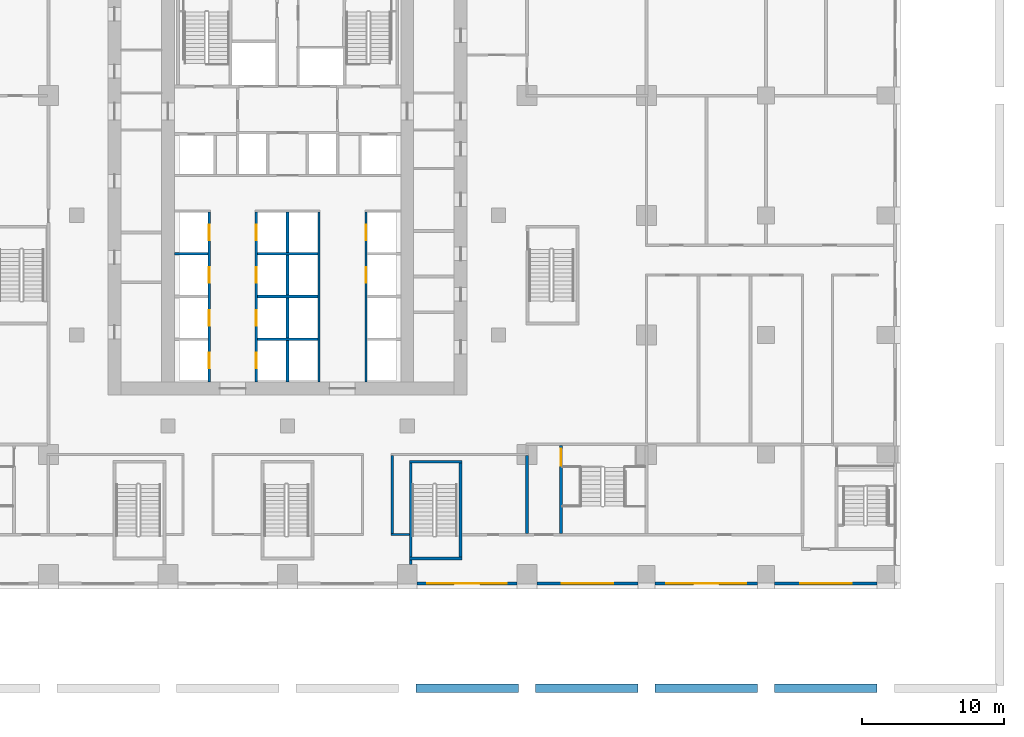
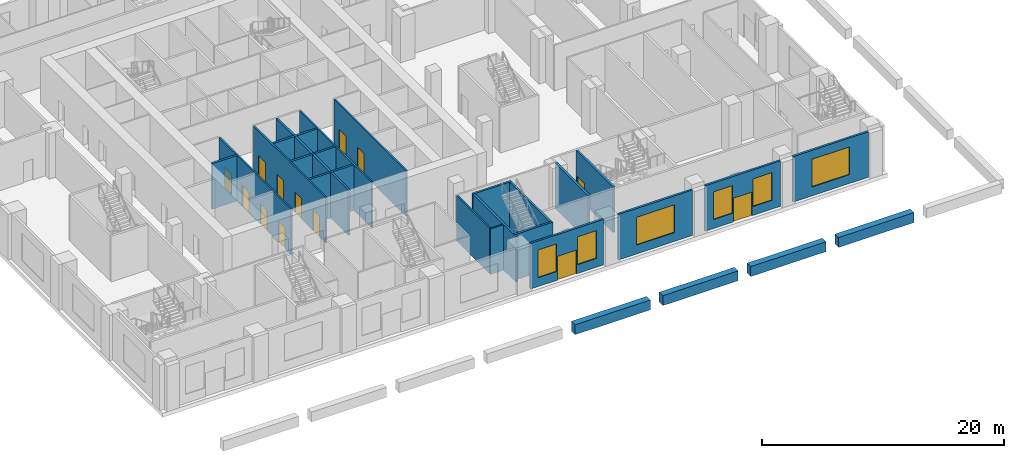
# One storey, part 4 of 21: 25 walls, 13 doors, 6 windows, 19 openings.
"""IFC4 building model written with IfcOpenShell, lengths in metres."""

from ifc_helpers import new_model, si_unit, direction, frame, frame_2d, origin, place, context, subcontext, project, spatial, rectangle, extrude, material, layer, layer_set, type_object, element, fill, save


model = new_model("IFC4")

# Units and contexts
model_context = context("Model", 3, precision=1e-05, world=origin(), true_north=direction((0.0, 1.0)))
body_context = subcontext(model_context, "Body", "Model", "MODEL_VIEW")
ifc_project = project(units=[si_unit("LENGTHUNIT", "METRE"), si_unit("AREAUNIT", "SQUARE_METRE"), si_unit("VOLUMEUNIT", "CUBIC_METRE"), si_unit("PLANEANGLEUNIT", "RADIAN"), si_unit("MASSUNIT", "GRAM", prefix="KILO")], contexts=[model_context])

# Site, building, storey
site_placement = place(None, origin())
site = spatial("IfcSite", under=ifc_project, at=site_placement, CompositionType="ELEMENT")
building_placement = place(site_placement, origin())
building = spatial("IfcBuilding", under=site, at=building_placement, Name="Vermilion Ogive Tower", CompositionType="ELEMENT")
storey_placement = place(building_placement, frame((0.0, 0.0, 25.0)))
storey = spatial("IfcBuildingStorey", under=building, at=storey_placement, Name="L04", CompositionType="ELEMENT", Elevation=25.0)

# Walls
ifc_material_1 = material(Name="Gypsum board partition on steel studs", Category="steel")
ifc_layer_1 = layer(ifc_material_1, 0.14990234375)
ifc_layer_set_1 = layer_set([ifc_layer_1], Name="Partition 150 corridor")
wall_type_1 = type_object("IfcWallType", Name="Partition 150 corridor", PredefinedType="PARTITIONING", material=ifc_layer_set_1)
wall_1_placement = place(storey_placement, frame((7.27490234375, -18.199951171875, 0.0), z_axis=(0.0, 0.0, 1.0), x_axis=(1.0, 0.0, 0.0)))
element("IfcWall", 1, at=wall_1_placement, inside=storey, type_object=wall_type_1, Name="L04-FS-W-W006", PredefinedType="PARTITIONING", context=body_context, shape_type="SweptSolid", body=[
    extrude(rectangle(XDim=1.275146484375, YDim=0.14990234375, at=frame_2d((0.6376953125, 0.0))), origin(), (0.0, 0.0, 1.0), 4.60009765625),
])
wall_2_placement = place(storey_placement, frame((7.35009765625, -18.125, 0.0), z_axis=(0.0, 0.0, 1.0), x_axis=(0.0, 1.0, 0.0)))
element("IfcWall", 2, at=wall_2_placement, inside=storey, type_object=wall_type_1, Name="L04-FS-W-W047", PredefinedType="PARTITIONING", context=body_context, shape_type="SweptSolid", body=[
    extrude(rectangle(XDim=5.449951171875, YDim=0.14990234375, at=frame_2d((2.72509765625, 0.0))), origin(), (0.0, 0.0, 1.0), 4.60009765625),
])

# Wall, openings, doors
wall_3_placement = place(storey_placement, frame((-5.5, -7.4990234375, 0.0), z_axis=(0.0, 0.0, 1.0), x_axis=(0.0, 1.0, 0.0)))
wall_3 = element("IfcWall", 3, at=wall_3_placement, inside=storey, type_object=wall_type_1, Name="L04-CK-W-W022", PredefinedType="PARTITIONING", context=body_context, shape_type="SweptSolid", body=[
    extrude(rectangle(XDim=11.924072265625, YDim=0.14990234375, at=frame_2d((5.9619140625, 0.0))), origin(), (0.0, 0.0, 1.0), 4.60009765625),
])
opening_1_placement = place(wall_3_placement, frame((0.948974609375, 0.0, 0.0)))
opening_1 = element("IfcOpeningElement", 4, at=opening_1_placement, cuts=wall_3, Name="Opening DAB110", PredefinedType="OPENING", context=body_context, shape_type="SweptSolid", body=[
    extrude(rectangle(XDim=1.10009765625, YDim=2.10009765625, at=frame_2d((0.550048828125, 1.050048828125))), frame((0.0, 0.0849609375, 0.0), z_axis=(0.0, -1.0, 0.0), x_axis=(1.0, 0.0, 0.0)), (0.0, 0.0, 1.0), 0.169921875),
])
opening_2_placement = place(wall_3_placement, frame((3.948974609375, 0.0, 0.0)))
opening_2 = element("IfcOpeningElement", 5, at=opening_2_placement, cuts=wall_3, Name="Opening DAB115", PredefinedType="OPENING", context=body_context, shape_type="SweptSolid", body=[
    extrude(rectangle(XDim=1.10009765625, YDim=2.10009765625, at=frame_2d((0.550048828125, 1.050048828125))), frame((0.0, 0.0849609375, 0.0), z_axis=(0.0, -1.0, 0.0), x_axis=(1.0, 0.0, 0.0)), (0.0, 0.0, 1.0), 0.169921875),
])
opening_3_placement = place(wall_3_placement, frame((6.948974609375, 0.0, 0.0)))
opening_3 = element("IfcOpeningElement", 6, at=opening_3_placement, cuts=wall_3, Name="Opening DAB116", PredefinedType="OPENING", context=body_context, shape_type="SweptSolid", body=[
    extrude(rectangle(XDim=1.10009765625, YDim=2.10009765625, at=frame_2d((0.550048828125, 1.050048828125))), frame((0.0, 0.0849609375, 0.0), z_axis=(0.0, -1.0, 0.0), x_axis=(1.0, 0.0, 0.0)), (0.0, 0.0, 1.0), 0.169921875),
])
opening_4_placement = place(wall_3_placement, frame((9.948974609375, 0.0, 0.0)))
opening_4 = element("IfcOpeningElement", 7, at=opening_4_placement, cuts=wall_3, Name="Opening DAB117", PredefinedType="OPENING", context=body_context, shape_type="SweptSolid", body=[
    extrude(rectangle(XDim=1.10009765625, YDim=2.10009765625, at=frame_2d((0.550048828125, 1.050048828125))), frame((0.0, 0.0849609375, 0.0), z_axis=(0.0, -1.0, 0.0), x_axis=(1.0, 0.0, 0.0)), (0.0, 0.0, 1.0), 0.169921875),
])
ifc_material_2 = material(Name="Stainless steel", Category="steel")
door_type_1 = type_object("IfcDoorType", Name="Lift landing door 1100 x 2100", OperationType="SLIDING_TO_LEFT", PredefinedType="DOOR", material=ifc_material_2)
door_1_placement = place(opening_1_placement, origin())
door_1 = element("IfcDoor", 8, at=door_1_placement, inside=storey, type_object=door_type_1, Name="L04-CK-D-D001", OperationType="SLIDING_TO_RIGHT", OverallHeight=2.10009765625, OverallWidth=1.10009765625, PredefinedType="DOOR", context=body_context, shape_type="SweptSolid", body=[
    extrude(rectangle(XDim=1.10009765625, YDim=2.10009765625, at=frame_2d((0.550048828125, 1.050048828125))), frame((0.0, 0.02490234375, 0.0), z_axis=(0.0, -1.0, 0.0), x_axis=(1.0, 0.0, 0.0)), (0.0, 0.0, 1.0), 0.050048828125),
])
fill(opening_1, door_1)
door_2_placement = place(opening_2_placement, origin())
door_2 = element("IfcDoor", 9, at=door_2_placement, inside=storey, type_object=door_type_1, Name="L04-CK-D-D002", OperationType="SLIDING_TO_RIGHT", OverallHeight=2.10009765625, OverallWidth=1.10009765625, PredefinedType="DOOR", context=body_context, shape_type="SweptSolid", body=[
    extrude(rectangle(XDim=1.10009765625, YDim=2.10009765625, at=frame_2d((0.550048828125, 1.050048828125))), frame((0.0, 0.02490234375, 0.0), z_axis=(0.0, -1.0, 0.0), x_axis=(1.0, 0.0, 0.0)), (0.0, 0.0, 1.0), 0.050048828125),
])
fill(opening_2, door_2)
door_3_placement = place(opening_3_placement, origin())
door_3 = element("IfcDoor", 10, at=door_3_placement, inside=storey, type_object=door_type_1, Name="L04-CK-D-D003", OperationType="SLIDING_TO_RIGHT", OverallHeight=2.10009765625, OverallWidth=1.10009765625, PredefinedType="DOOR", context=body_context, shape_type="SweptSolid", body=[
    extrude(rectangle(XDim=1.10009765625, YDim=2.10009765625, at=frame_2d((0.550048828125, 1.050048828125))), frame((0.0, 0.02490234375, 0.0), z_axis=(0.0, -1.0, 0.0), x_axis=(1.0, 0.0, 0.0)), (0.0, 0.0, 1.0), 0.050048828125),
])
fill(opening_3, door_3)
door_4_placement = place(opening_4_placement, origin())
door_4 = element("IfcDoor", 11, at=door_4_placement, inside=storey, type_object=door_type_1, Name="L04-CK-D-D004", OperationType="SLIDING_TO_RIGHT", OverallHeight=2.10009765625, OverallWidth=1.10009765625, PredefinedType="DOOR", context=body_context, shape_type="SweptSolid", body=[
    extrude(rectangle(XDim=1.10009765625, YDim=2.10009765625, at=frame_2d((0.550048828125, 1.050048828125))), frame((0.0, 0.02490234375, 0.0), z_axis=(0.0, -1.0, 0.0), x_axis=(1.0, 0.0, 0.0)), (0.0, 0.0, 1.0), 0.050048828125),
])
fill(opening_4, door_4)

wall_4_placement = place(storey_placement, frame((-2.199951171875, -7.4990234375, 0.0), z_axis=(0.0, 0.0, 1.0), x_axis=(0.0, 1.0, 0.0)))
wall_4 = element("IfcWall", 12, at=wall_4_placement, inside=storey, type_object=wall_type_1, Name="L04-CK-W-W027", PredefinedType="PARTITIONING", context=body_context, shape_type="SweptSolid", body=[
    extrude(rectangle(XDim=11.924072265625, YDim=0.14990234375, at=frame_2d((5.9619140625, 0.0))), origin(), (0.0, 0.0, 1.0), 4.60009765625),
])
opening_5_placement = place(wall_4_placement, frame((0.948974609375, 0.0, 0.0)))
opening_5 = element("IfcOpeningElement", 13, at=opening_5_placement, cuts=wall_4, Name="Opening DAB118", PredefinedType="OPENING", context=body_context, shape_type="SweptSolid", body=[
    extrude(rectangle(XDim=1.10009765625, YDim=2.10009765625, at=frame_2d((0.550048828125, 1.050048828125))), frame((0.0, 0.0849609375, 0.0), z_axis=(0.0, -1.0, 0.0), x_axis=(1.0, 0.0, 0.0)), (0.0, 0.0, 1.0), 0.169921875),
])
opening_6_placement = place(wall_4_placement, frame((3.948974609375, 0.0, 0.0)))
opening_6 = element("IfcOpeningElement", 14, at=opening_6_placement, cuts=wall_4, Name="Opening DAB119", PredefinedType="OPENING", context=body_context, shape_type="SweptSolid", body=[
    extrude(rectangle(XDim=1.10009765625, YDim=2.10009765625, at=frame_2d((0.550048828125, 1.050048828125))), frame((0.0, 0.0849609375, 0.0), z_axis=(0.0, -1.0, 0.0), x_axis=(1.0, 0.0, 0.0)), (0.0, 0.0, 1.0), 0.169921875),
])
opening_7_placement = place(wall_4_placement, frame((6.948974609375, 0.0, 0.0)))
opening_7 = element("IfcOpeningElement", 15, at=opening_7_placement, cuts=wall_4, Name="Opening DAB120", PredefinedType="OPENING", context=body_context, shape_type="SweptSolid", body=[
    extrude(rectangle(XDim=1.10009765625, YDim=2.10009765625, at=frame_2d((0.550048828125, 1.050048828125))), frame((0.0, 0.0849609375, 0.0), z_axis=(0.0, -1.0, 0.0), x_axis=(1.0, 0.0, 0.0)), (0.0, 0.0, 1.0), 0.169921875),
])
opening_8_placement = place(wall_4_placement, frame((9.948974609375, 0.0, 0.0)))
opening_8 = element("IfcOpeningElement", 16, at=opening_8_placement, cuts=wall_4, Name="Opening DAB121", PredefinedType="OPENING", context=body_context, shape_type="SweptSolid", body=[
    extrude(rectangle(XDim=1.10009765625, YDim=2.10009765625, at=frame_2d((0.550048828125, 1.050048828125))), frame((0.0, 0.0849609375, 0.0), z_axis=(0.0, -1.0, 0.0), x_axis=(1.0, 0.0, 0.0)), (0.0, 0.0, 1.0), 0.169921875),
])
door_5_placement = place(opening_5_placement, origin())
door_5 = element("IfcDoor", 17, at=door_5_placement, inside=storey, type_object=door_type_1, Name="L04-CK-D-D005", OperationType="SLIDING_TO_RIGHT", OverallHeight=2.10009765625, OverallWidth=1.10009765625, PredefinedType="DOOR", context=body_context, shape_type="SweptSolid", body=[
    extrude(rectangle(XDim=1.10009765625, YDim=2.10009765625, at=frame_2d((0.550048828125, 1.050048828125))), frame((0.0, 0.02490234375, 0.0), z_axis=(0.0, -1.0, 0.0), x_axis=(1.0, 0.0, 0.0)), (0.0, 0.0, 1.0), 0.050048828125),
])
fill(opening_5, door_5)
door_6_placement = place(opening_6_placement, origin())
door_6 = element("IfcDoor", 18, at=door_6_placement, inside=storey, type_object=door_type_1, Name="L04-CK-D-D006", OperationType="SLIDING_TO_RIGHT", OverallHeight=2.10009765625, OverallWidth=1.10009765625, PredefinedType="DOOR", context=body_context, shape_type="SweptSolid", body=[
    extrude(rectangle(XDim=1.10009765625, YDim=2.10009765625, at=frame_2d((0.550048828125, 1.050048828125))), frame((0.0, 0.02490234375, 0.0), z_axis=(0.0, -1.0, 0.0), x_axis=(1.0, 0.0, 0.0)), (0.0, 0.0, 1.0), 0.050048828125),
])
fill(opening_6, door_6)
door_7_placement = place(opening_7_placement, origin())
door_7 = element("IfcDoor", 19, at=door_7_placement, inside=storey, type_object=door_type_1, Name="L04-CK-D-D007", OperationType="SLIDING_TO_RIGHT", OverallHeight=2.10009765625, OverallWidth=1.10009765625, PredefinedType="DOOR", context=body_context, shape_type="SweptSolid", body=[
    extrude(rectangle(XDim=1.10009765625, YDim=2.10009765625, at=frame_2d((0.550048828125, 1.050048828125))), frame((0.0, 0.02490234375, 0.0), z_axis=(0.0, -1.0, 0.0), x_axis=(1.0, 0.0, 0.0)), (0.0, 0.0, 1.0), 0.050048828125),
])
fill(opening_7, door_7)
door_8_placement = place(opening_8_placement, origin())
door_8 = element("IfcDoor", 20, at=door_8_placement, inside=storey, type_object=door_type_1, Name="L04-CK-D-D008", OperationType="SLIDING_TO_RIGHT", OverallHeight=2.10009765625, OverallWidth=1.10009765625, PredefinedType="DOOR", context=body_context, shape_type="SweptSolid", body=[
    extrude(rectangle(XDim=1.10009765625, YDim=2.10009765625, at=frame_2d((0.550048828125, 1.050048828125))), frame((0.0, 0.02490234375, 0.0), z_axis=(0.0, -1.0, 0.0), x_axis=(1.0, 0.0, 0.0)), (0.0, 0.0, 1.0), 0.050048828125),
])
fill(opening_8, door_8)

# Wall
wall_5_placement = place(storey_placement, frame((2.199951171875, -7.4990234375, 0.0), z_axis=(0.0, 0.0, 1.0), x_axis=(0.0, 1.0, 0.0)))
element("IfcWall", 21, at=wall_5_placement, inside=storey, type_object=wall_type_1, Name="L04-CK-W-W034", PredefinedType="PARTITIONING", context=body_context, shape_type="SweptSolid", body=[
    extrude(rectangle(XDim=11.924072265625, YDim=0.14990234375, at=frame_2d((5.9619140625, 0.0))), origin(), (0.0, 0.0, 1.0), 4.60009765625),
])

# Wall, openings, doors
wall_6_placement = place(storey_placement, frame((5.5, -7.4990234375, 0.0), z_axis=(0.0, 0.0, 1.0), x_axis=(0.0, 1.0, 0.0)))
wall_6 = element("IfcWall", 22, at=wall_6_placement, inside=storey, type_object=wall_type_1, Name="L04-CK-W-W040", PredefinedType="PARTITIONING", context=body_context, shape_type="SweptSolid", body=[
    extrude(rectangle(XDim=11.924072265625, YDim=0.14990234375, at=frame_2d((5.9619140625, 0.0))), origin(), (0.0, 0.0, 1.0), 4.60009765625),
])
opening_9_placement = place(wall_6_placement, frame((6.948974609375, 0.0, 0.0)))
opening_9 = element("IfcOpeningElement", 23, at=opening_9_placement, cuts=wall_6, Name="Opening DAB122", PredefinedType="OPENING", context=body_context, shape_type="SweptSolid", body=[
    extrude(rectangle(XDim=1.10009765625, YDim=2.10009765625, at=frame_2d((0.550048828125, 1.050048828125))), frame((0.0, 0.0849609375, 0.0), z_axis=(0.0, -1.0, 0.0), x_axis=(1.0, 0.0, 0.0)), (0.0, 0.0, 1.0), 0.169921875),
])
opening_10_placement = place(wall_6_placement, frame((9.948974609375, 0.0, 0.0)))
opening_10 = element("IfcOpeningElement", 24, at=opening_10_placement, cuts=wall_6, Name="Opening DAB111", PredefinedType="OPENING", context=body_context, shape_type="SweptSolid", body=[
    extrude(rectangle(XDim=1.10009765625, YDim=2.10009765625, at=frame_2d((0.550048828125, 1.050048828125))), frame((0.0, 0.0849609375, 0.0), z_axis=(0.0, -1.0, 0.0), x_axis=(1.0, 0.0, 0.0)), (0.0, 0.0, 1.0), 0.169921875),
])
door_9_placement = place(opening_9_placement, origin())
door_9 = element("IfcDoor", 25, at=door_9_placement, inside=storey, type_object=door_type_1, Name="L04-CK-D-D009", OperationType="SLIDING_TO_RIGHT", OverallHeight=2.10009765625, OverallWidth=1.10009765625, PredefinedType="DOOR", context=body_context, shape_type="SweptSolid", body=[
    extrude(rectangle(XDim=1.10009765625, YDim=2.10009765625, at=frame_2d((0.550048828125, 1.050048828125))), frame((0.0, 0.02490234375, 0.0), z_axis=(0.0, -1.0, 0.0), x_axis=(1.0, 0.0, 0.0)), (0.0, 0.0, 1.0), 0.050048828125),
])
fill(opening_9, door_9)
door_10_placement = place(opening_10_placement, origin())
door_10 = element("IfcDoor", 26, at=door_10_placement, inside=storey, type_object=door_type_1, Name="L04-CK-D-D010", OperationType="SLIDING_TO_RIGHT", OverallHeight=2.10009765625, OverallWidth=1.10009765625, PredefinedType="DOOR", context=body_context, shape_type="SweptSolid", body=[
    extrude(rectangle(XDim=1.10009765625, YDim=2.10009765625, at=frame_2d((0.550048828125, 1.050048828125))), frame((0.0, 0.02490234375, 0.0), z_axis=(0.0, -1.0, 0.0), x_axis=(1.0, 0.0, 0.0)), (0.0, 0.0, 1.0), 0.050048828125),
])
fill(opening_10, door_10)

# Walls
ifc_material_3 = material(Name="Gypsum board partition on steel studs", Category="steel")
ifc_layer_2 = layer(ifc_material_3, 0.199951171875)
ifc_layer_set_2 = layer_set([ifc_layer_2], Name="Partition 200 party")
wall_type_2 = type_object("IfcWallType", Name="Partition 200 party", PredefinedType="PARTITIONING", material=ifc_layer_set_2)
wall_7_placement = place(storey_placement, frame((16.800048828125, -18.125, 0.0), z_axis=(0.0, 0.0, 1.0), x_axis=(0.0, 1.0, 0.0)))
element("IfcWall", 27, at=wall_7_placement, inside=storey, type_object=wall_type_2, Name="L04-FS-W-W049", PredefinedType="PARTITIONING", context=body_context, shape_type="SweptSolid", body=[
    extrude(rectangle(XDim=5.449951171875, YDim=0.199951171875, at=frame_2d((2.72509765625, 0.0))), origin(), (0.0, 0.0, 1.0), 4.60009765625),
])
for number, where, z_axis, x_axis, name in (
    (28, (-2.125, -4.5, 0.0), (0.0, 0.0, 1.0), (1.0, 0.0, 0.0), "L04-CK-W-W002"),
    (29, (-2.125, -1.5, 0.0), (0.0, 0.0, 1.0), (1.0, 0.0, 0.0), "L04-CK-W-W005"),
):
    element("IfcWall", number, at=place(storey_placement, frame(where, z_axis=z_axis, x_axis=x_axis)), inside=storey, type_object=wall_type_2, Name=name, PredefinedType="PARTITIONING", context=body_context, shape_type="SweptSolid", body=[
        extrude(rectangle(XDim=4.25, YDim=0.199951171875, at=frame_2d((2.125, 0.0))), origin(), (0.0, 0.0, 1.0), 4.60009765625),
    ])
wall_8_placement = place(storey_placement, frame((-7.948974609375, 1.5, 0.0), z_axis=(0.0, 0.0, 1.0), x_axis=(1.0, 0.0, 0.0)))
element("IfcWall", 30, at=wall_8_placement, inside=storey, type_object=wall_type_2, Name="L04-CK-W-W007", PredefinedType="PARTITIONING", context=body_context, shape_type="SweptSolid", body=[
    extrude(rectangle(XDim=2.3740234375, YDim=0.199951171875, at=frame_2d((1.18701171875, 0.0))), origin(), (0.0, 0.0, 1.0), 4.60009765625),
])
wall_9_placement = place(storey_placement, frame((-2.125, 1.5, 0.0), z_axis=(0.0, 0.0, 1.0), x_axis=(1.0, 0.0, 0.0)))
element("IfcWall", 31, at=wall_9_placement, inside=storey, type_object=wall_type_2, Name="L04-CK-W-W008", PredefinedType="PARTITIONING", context=body_context, shape_type="SweptSolid", body=[
    extrude(rectangle(XDim=4.25, YDim=0.199951171875, at=frame_2d((2.125, 0.0))), origin(), (0.0, 0.0, 1.0), 4.60009765625),
])
wall_10_placement = place(storey_placement, frame((0.0, -7.4990234375, 0.0), z_axis=(0.0, 0.0, 1.0), x_axis=(0.0, 1.0, 0.0)))
element("IfcWall", 32, at=wall_10_placement, inside=storey, type_object=wall_type_2, Name="L04-CK-W-W030", PredefinedType="PARTITIONING", context=body_context, shape_type="SweptSolid", body=[
    extrude(rectangle(XDim=11.924072265625, YDim=0.199951171875, at=frame_2d((5.9619140625, 0.0))), origin(), (0.0, 0.0, 1.0), 4.60009765625),
])

# Wall, opening, door
ifc_material_4 = material(Name="Concrete B60", Category="concrete")
ifc_layer_3 = layer(ifc_material_4, 0.199951171875)
ifc_layer_set_3 = layer_set([ifc_layer_3], Name="Stair shaft wall 200 Concrete B60")
wall_type_3 = type_object("IfcWallType", Name="Stair shaft wall 200 Concrete B60", PredefinedType="SOLIDWALL", material=ifc_layer_set_3)
wall_11_placement = place(storey_placement, frame((19.199951171875, -18.125, 0.0), z_axis=(0.0, 0.0, 1.0), x_axis=(0.0, 1.0, 0.0)))
wall_11 = element("IfcWall", 33, at=wall_11_placement, inside=storey, type_object=wall_type_3, Name="L04-FS-W-W054", PredefinedType="SOLIDWALL", context=body_context, shape_type="SweptSolid", body=[
    extrude(rectangle(XDim=6.14990234375, YDim=0.199951171875, at=frame_2d((3.074951171875, 0.0))), origin(), (0.0, 0.0, 1.0), 4.60009765625),
])
opening_11_placement = place(wall_11_placement, frame((4.75, 0.0, 0.0)))
opening_11 = element("IfcOpeningElement", 34, at=opening_11_placement, cuts=wall_11, Name="Opening L04S003", PredefinedType="OPENING", context=body_context, shape_type="SweptSolid", body=[
    extrude(rectangle(XDim=1.199951171875, YDim=2.10009765625, at=frame_2d((0.60009765625, 1.050048828125))), frame((0.0, 0.10986328125, 0.0), z_axis=(0.0, -1.0, 0.0), x_axis=(1.0, 0.0, 0.0)), (0.0, 0.0, 1.0), 0.219970703125),
])
ifc_material_5 = material(Name="Timber door leaf", Category="wood")
door_type_2 = type_object("IfcDoorType", Name="Stair door 1200 x 2100 FD60S", OperationType="SINGLE_SWING_LEFT", PredefinedType="DOOR", material=ifc_material_5)
door_11_placement = place(opening_11_placement, origin())
door_11 = element("IfcDoor", 35, at=door_11_placement, inside=storey, type_object=door_type_2, Name="L04-FS-D-D003", OperationType="DOUBLE_DOOR_SINGLE_SWING", OverallHeight=2.10009765625, OverallWidth=1.199951171875, PredefinedType="DOOR", context=body_context, shape_type="SweptSolid", body=[
    extrude(rectangle(XDim=1.199951171875, YDim=2.10009765625, at=frame_2d((0.60009765625, 1.050048828125))), frame((0.0, 0.02490234375, 0.0), z_axis=(0.0, -1.0, 0.0), x_axis=(1.0, 0.0, 0.0)), (0.0, 0.0, 1.0), 0.050048828125),
])
fill(opening_11, door_11)

# Walls
for number, where, z_axis, x_axis, name in (
    (36, (8.550048828125, -19.89990234375, 0.0), (0.0, 0.0, 1.0), (1.0, 0.0, 0.0), "L04-SW-ST5-S1"),
    (37, (8.550048828125, -13.10009765625, 0.0), (0.0, 0.0, 1.0), (1.0, 0.0, 0.0), "L04-SW-ST5-N1"),
):
    element("IfcWall", number, at=place(storey_placement, frame(where, z_axis=z_axis, x_axis=x_axis)), inside=storey, type_object=wall_type_3, Name=name, PredefinedType="SOLIDWALL", context=body_context, shape_type="SweptSolid", body=[
        extrude(rectangle(XDim=3.699951171875, YDim=0.199951171875, at=frame_2d((1.85009765625, 0.0))), origin(), (0.0, 0.0, 1.0), 4.60009765625),
    ])
wall_12_placement = place(storey_placement, frame((8.64990234375, -20.300048828125, 0.0), z_axis=(0.0, 0.0, 1.0), x_axis=(0.0, 1.0, 0.0)))
element("IfcWall", 38, at=wall_12_placement, inside=storey, type_object=wall_type_3, Name="L04-SW-ST5-W1", PredefinedType="SOLIDWALL", context=body_context, shape_type="SweptSolid", body=[
    extrude(rectangle(XDim=7.10009765625, YDim=0.199951171875, at=frame_2d((3.550048828125, 0.0))), origin(), (0.0, 0.0, 1.0), 4.60009765625),
])
wall_13_placement = place(storey_placement, frame((12.14990234375, -19.800048828125, 0.0), z_axis=(0.0, 0.0, 1.0), x_axis=(0.0, 1.0, 0.0)))
element("IfcWall", 39, at=wall_13_placement, inside=storey, type_object=wall_type_3, Name="L04-SW-ST5-E1", PredefinedType="SOLIDWALL", context=body_context, shape_type="SweptSolid", body=[
    extrude(rectangle(XDim=6.60009765625, YDim=0.199951171875, at=frame_2d((3.300048828125, 0.0))), origin(), (0.0, 0.0, 1.0), 4.60009765625),
])
ifc_material_6 = material(Name="Concrete B40", Category="concrete")
ifc_layer_4 = layer(ifc_material_6, 0.60009765625)
ifc_layer_set_4 = layer_set([ifc_layer_4], Name="Terrace planter")
wall_type_4 = type_object("IfcWallType", Name="Terrace planter", PredefinedType="USERDEFINED", material=ifc_layer_set_4)
for number, where, z_axis, x_axis, name in (
    (40, (41.39990234375, -29.0, 0.0), (0.0, 0.0, 1.0), (-1.0, 0.0, 0.0), "Terrace planter 1.1.9"),
    (41, (33.0, -29.0, 0.0), (0.0, 0.0, 1.0), (-1.0, 0.0, 0.0), "Terrace planter 1.1.10"),
):
    element("IfcWall", number, at=place(storey_placement, frame(where, z_axis=z_axis, x_axis=x_axis)), inside=storey, type_object=wall_type_4, Name=name, ObjectType="PLANTER", PredefinedType="USERDEFINED", context=body_context, shape_type="SweptSolid", body=[
        extrude(rectangle(XDim=7.199951171875, YDim=0.60009765625, at=frame_2d((3.60009765625, 0.0))), origin(), (0.0, 0.0, 1.0), 1.0),
    ])
wall_14_placement = place(storey_placement, frame((24.60009765625, -29.0, 0.0), z_axis=(0.0, 0.0, 1.0), x_axis=(-1.0, 0.0, 0.0)))
element("IfcWall", 42, at=wall_14_placement, inside=storey, type_object=wall_type_4, Name="Terrace planter 1.1.11", ObjectType="PLANTER", PredefinedType="USERDEFINED", context=body_context, shape_type="SweptSolid", body=[
    extrude(rectangle(XDim=7.2001953125, YDim=0.60009765625, at=frame_2d((3.60009765625, 0.0))), origin(), (0.0, 0.0, 1.0), 1.0),
])
wall_15_placement = place(storey_placement, frame((16.199951171875, -29.0, 0.0), z_axis=(0.0, 0.0, 1.0), x_axis=(-1.0, 0.0, 0.0)))
element("IfcWall", 43, at=wall_15_placement, inside=storey, type_object=wall_type_4, Name="Terrace planter 1.1.12", ObjectType="PLANTER", PredefinedType="USERDEFINED", context=body_context, shape_type="SweptSolid", body=[
    extrude(rectangle(XDim=7.199951171875, YDim=0.60009765625, at=frame_2d((3.60009765625, 0.0))), origin(), (0.0, 0.0, 1.0), 1.0),
])

# Wall, openings, windows, door
ifc_material_7 = material(Name="Aluminium window wall framing", Category="aluminium")
ifc_layer_5 = layer(ifc_material_7, 0.199951171875)
ifc_layer_set_5 = layer_set([ifc_layer_5], Name="Window wall")
wall_type_5 = type_object("IfcWallType", Name="Window wall", PredefinedType="STANDARD", material=ifc_layer_set_5)
wall_16_placement = place(storey_placement, frame((9.10009765625, -21.64990234375, 0.0), z_axis=(0.0, 0.0, 1.0), x_axis=(1.0, 0.0, 0.0)))
wall_16 = element("IfcWall", 44, at=wall_16_placement, inside=storey, type_object=wall_type_5, Name="Window wall S5", PredefinedType="STANDARD", context=body_context, shape_type="SweptSolid", body=[
    extrude(rectangle(XDim=7.0, YDim=0.199951171875, at=frame_2d((3.5, 0.0))), origin(), (0.0, 0.0, 1.0), 4.60009765625),
])
opening_12_placement = place(wall_16_placement, frame((0.699951171875, 0.0, 0.89990234375)))
opening_12 = element("IfcOpeningElement", 45, at=opening_12_placement, cuts=wall_16, Name="Opening P-S5A", PredefinedType="OPENING", context=body_context, shape_type="SweptSolid", body=[
    extrude(rectangle(XDim=1.800048828125, YDim=2.800048828125, at=frame_2d((0.89990234375, 1.39990234375))), frame((0.0, 0.10986328125, 0.0), z_axis=(0.0, -1.0, 0.0), x_axis=(1.0, 0.0, 0.0)), (0.0, 0.0, 1.0), 0.219970703125),
])
opening_13_placement = place(wall_16_placement, frame((2.60009765625, 0.0, 0.0)))
opening_13 = element("IfcOpeningElement", 46, at=opening_13_placement, cuts=wall_16, Name="Opening D2-S5", PredefinedType="OPENING", context=body_context, shape_type="SweptSolid", body=[
    extrude(rectangle(XDim=1.800048828125, YDim=2.39990234375, at=frame_2d((0.89990234375, 1.199951171875))), frame((0.0, 0.10986328125, 0.0), z_axis=(0.0, -1.0, 0.0), x_axis=(1.0, 0.0, 0.0)), (0.0, 0.0, 1.0), 0.219970703125),
])
opening_14_placement = place(wall_16_placement, frame((4.5, 0.0, 0.89990234375)))
opening_14 = element("IfcOpeningElement", 47, at=opening_14_placement, cuts=wall_16, Name="Opening P-S5B", PredefinedType="OPENING", context=body_context, shape_type="SweptSolid", body=[
    extrude(rectangle(XDim=1.800048828125, YDim=2.800048828125, at=frame_2d((0.89990234375, 1.39990234375))), frame((0.0, 0.10986328125, 0.0), z_axis=(0.0, -1.0, 0.0), x_axis=(1.0, 0.0, 0.0)), (0.0, 0.0, 1.0), 0.219970703125),
])
ifc_material_8 = material(Name="Aluminium framed double glazing", Category="aluminium")
window_type_1 = type_object("IfcWindowType", Name="Podium window P 1800x2800 sill 900", PartitioningType="SINGLE_PANEL", PredefinedType="WINDOW", material=ifc_material_8)
window_1_placement = place(opening_12_placement, origin())
window_1 = element("IfcWindow", 48, at=window_1_placement, inside=storey, type_object=window_type_1, Name="Window S5A", OverallHeight=2.800048828125, OverallWidth=1.800048828125, PartitioningType="SINGLE_PANEL", PredefinedType="WINDOW", context=body_context, shape_type="SweptSolid", body=[
    extrude(rectangle(XDim=1.800048828125, YDim=2.800048828125, at=frame_2d((0.89990234375, 1.39990234375))), frame((0.0, 0.030029296875, 0.0), z_axis=(0.0, -1.0, 0.0), x_axis=(1.0, 0.0, 0.0)), (0.0, 0.0, 1.0), 0.06005859375),
])
fill(opening_12, window_1)
window_2_placement = place(opening_14_placement, origin())
window_2 = element("IfcWindow", 49, at=window_2_placement, inside=storey, type_object=window_type_1, Name="Window S5B", OverallHeight=2.800048828125, OverallWidth=1.800048828125, PartitioningType="SINGLE_PANEL", PredefinedType="WINDOW", context=body_context, shape_type="SweptSolid", body=[
    extrude(rectangle(XDim=1.800048828125, YDim=2.800048828125, at=frame_2d((0.89990234375, 1.39990234375))), frame((0.0, 0.030029296875, 0.0), z_axis=(0.0, -1.0, 0.0), x_axis=(1.0, 0.0, 0.0)), (0.0, 0.0, 1.0), 0.06005859375),
])
fill(opening_14, window_2)
ifc_material_9 = material(Name="Aluminium framed glazed door", Category="aluminium")
door_type_3 = type_object("IfcDoorType", Name="Terrace door D2", OperationType="SINGLE_SWING_LEFT", PredefinedType="DOOR", material=ifc_material_9)
door_12_placement = place(opening_13_placement, origin())
door_12 = element("IfcDoor", 50, at=door_12_placement, inside=storey, type_object=door_type_3, Name="Terrace door S5", OperationType="SINGLE_SWING_LEFT", OverallHeight=2.39990234375, OverallWidth=1.800048828125, PredefinedType="DOOR", context=body_context, shape_type="SweptSolid", body=[
    extrude(rectangle(XDim=1.800048828125, YDim=2.39990234375, at=frame_2d((0.89990234375, 1.199951171875))), frame((0.0, 0.02490234375, 0.0), z_axis=(0.0, -1.0, 0.0), x_axis=(1.0, 0.0, 0.0)), (0.0, 0.0, 1.0), 0.050048828125),
])
fill(opening_13, door_12)

# Wall, opening, window
wall_17_placement = place(storey_placement, frame((17.5, -21.64990234375, 0.0), z_axis=(0.0, 0.0, 1.0), x_axis=(1.0, 0.0, 0.0)))
wall_17 = element("IfcWall", 51, at=wall_17_placement, inside=storey, type_object=wall_type_5, Name="Window wall S6", PredefinedType="STANDARD", context=body_context, shape_type="SweptSolid", body=[
    extrude(rectangle(XDim=7.10009765625, YDim=0.199951171875, at=frame_2d((3.550048828125, 0.0))), origin(), (0.0, 0.0, 1.0), 4.60009765625),
])
opening_15_placement = place(wall_17_placement, frame((1.75, 0.0, 0.89990234375)))
opening_15 = element("IfcOpeningElement", 52, at=opening_15_placement, cuts=wall_17, Name="Opening P-S6", PredefinedType="OPENING", context=body_context, shape_type="SweptSolid", body=[
    extrude(rectangle(XDim=3.60009765625, YDim=2.800048828125, at=frame_2d((1.800048828125, 1.39990234375))), frame((0.0, 0.10986328125, 0.0), z_axis=(0.0, -1.0, 0.0), x_axis=(1.0, 0.0, 0.0)), (0.0, 0.0, 1.0), 0.219970703125),
])
ifc_material_10 = material(Name="Aluminium framed double glazing", Category="aluminium")
window_type_2 = type_object("IfcWindowType", Name="Podium window P 3600x2800 sill 900", PartitioningType="SINGLE_PANEL", PredefinedType="WINDOW", material=ifc_material_10)
window_3_placement = place(opening_15_placement, origin())
window_3 = element("IfcWindow", 53, at=window_3_placement, inside=storey, type_object=window_type_2, Name="Window S6", OverallHeight=2.800048828125, OverallWidth=3.60009765625, PartitioningType="SINGLE_PANEL", PredefinedType="WINDOW", context=body_context, shape_type="SweptSolid", body=[
    extrude(rectangle(XDim=3.60009765625, YDim=2.800048828125, at=frame_2d((1.800048828125, 1.39990234375))), frame((0.0, 0.030029296875, 0.0), z_axis=(0.0, -1.0, 0.0), x_axis=(1.0, 0.0, 0.0)), (0.0, 0.0, 1.0), 0.06005859375),
])
fill(opening_15, window_3)

# Wall, openings, windows, door
wall_18_placement = place(storey_placement, frame((25.800048828125, -21.64990234375, 0.0), z_axis=(0.0, 0.0, 1.0), x_axis=(1.0, 0.0, 0.0)))
wall_18 = element("IfcWall", 54, at=wall_18_placement, inside=storey, type_object=wall_type_5, Name="Window wall S7", PredefinedType="STANDARD", context=body_context, shape_type="SweptSolid", body=[
    extrude(rectangle(XDim=7.199951171875, YDim=0.199951171875, at=frame_2d((3.60009765625, 0.0))), origin(), (0.0, 0.0, 1.0), 4.60009765625),
])
opening_16_placement = place(wall_18_placement, frame((0.800048828125, 0.0, 0.89990234375)))
opening_16 = element("IfcOpeningElement", 55, at=opening_16_placement, cuts=wall_18, Name="Opening P-S7A", PredefinedType="OPENING", context=body_context, shape_type="SweptSolid", body=[
    extrude(rectangle(XDim=1.800048828125, YDim=2.800048828125, at=frame_2d((0.89990234375, 1.39990234375))), frame((0.0, 0.10986328125, 0.0), z_axis=(0.0, -1.0, 0.0), x_axis=(1.0, 0.0, 0.0)), (0.0, 0.0, 1.0), 0.219970703125),
])
opening_17_placement = place(wall_18_placement, frame((2.699951171875, 0.0, 0.0)))
opening_17 = element("IfcOpeningElement", 56, at=opening_17_placement, cuts=wall_18, Name="Opening D2-S7", PredefinedType="OPENING", context=body_context, shape_type="SweptSolid", body=[
    extrude(rectangle(XDim=1.800048828125, YDim=2.39990234375, at=frame_2d((0.89990234375, 1.199951171875))), frame((0.0, 0.10986328125, 0.0), z_axis=(0.0, -1.0, 0.0), x_axis=(1.0, 0.0, 0.0)), (0.0, 0.0, 1.0), 0.219970703125),
])
opening_18_placement = place(wall_18_placement, frame((4.60009765625, 0.0, 0.89990234375)))
opening_18 = element("IfcOpeningElement", 57, at=opening_18_placement, cuts=wall_18, Name="Opening P-S7B", PredefinedType="OPENING", context=body_context, shape_type="SweptSolid", body=[
    extrude(rectangle(XDim=1.800048828125, YDim=2.800048828125, at=frame_2d((0.89990234375, 1.39990234375))), frame((0.0, 0.10986328125, 0.0), z_axis=(0.0, -1.0, 0.0), x_axis=(1.0, 0.0, 0.0)), (0.0, 0.0, 1.0), 0.219970703125),
])
window_4_placement = place(opening_16_placement, origin())
window_4 = element("IfcWindow", 58, at=window_4_placement, inside=storey, type_object=window_type_1, Name="Window S7A", OverallHeight=2.800048828125, OverallWidth=1.800048828125, PartitioningType="SINGLE_PANEL", PredefinedType="WINDOW", context=body_context, shape_type="SweptSolid", body=[
    extrude(rectangle(XDim=1.800048828125, YDim=2.800048828125, at=frame_2d((0.89990234375, 1.39990234375))), frame((0.0, 0.030029296875, 0.0), z_axis=(0.0, -1.0, 0.0), x_axis=(1.0, 0.0, 0.0)), (0.0, 0.0, 1.0), 0.06005859375),
])
fill(opening_16, window_4)
window_5_placement = place(opening_18_placement, origin())
window_5 = element("IfcWindow", 59, at=window_5_placement, inside=storey, type_object=window_type_1, Name="Window S7B", OverallHeight=2.800048828125, OverallWidth=1.800048828125, PartitioningType="SINGLE_PANEL", PredefinedType="WINDOW", context=body_context, shape_type="SweptSolid", body=[
    extrude(rectangle(XDim=1.800048828125, YDim=2.800048828125, at=frame_2d((0.89990234375, 1.39990234375))), frame((0.0, 0.030029296875, 0.0), z_axis=(0.0, -1.0, 0.0), x_axis=(1.0, 0.0, 0.0)), (0.0, 0.0, 1.0), 0.06005859375),
])
fill(opening_18, window_5)
door_13_placement = place(opening_17_placement, origin())
door_13 = element("IfcDoor", 60, at=door_13_placement, inside=storey, type_object=door_type_3, Name="Terrace door S7", OperationType="SINGLE_SWING_LEFT", OverallHeight=2.39990234375, OverallWidth=1.800048828125, PredefinedType="DOOR", context=body_context, shape_type="SweptSolid", body=[
    extrude(rectangle(XDim=1.800048828125, YDim=2.39990234375, at=frame_2d((0.89990234375, 1.199951171875))), frame((0.0, 0.02490234375, 0.0), z_axis=(0.0, -1.0, 0.0), x_axis=(1.0, 0.0, 0.0)), (0.0, 0.0, 1.0), 0.050048828125),
])
fill(opening_17, door_13)

# Wall, opening, window
wall_19_placement = place(storey_placement, frame((34.199951171875, -21.64990234375, 0.0), z_axis=(0.0, 0.0, 1.0), x_axis=(1.0, 0.0, 0.0)))
wall_19 = element("IfcWall", 61, at=wall_19_placement, inside=storey, type_object=wall_type_5, Name="Window wall S8", PredefinedType="STANDARD", context=body_context, shape_type="SweptSolid", body=[
    extrude(rectangle(XDim=7.199951171875, YDim=0.199951171875, at=frame_2d((3.60009765625, 0.0))), origin(), (0.0, 0.0, 1.0), 4.60009765625),
])
opening_19_placement = place(wall_19_placement, frame((1.800048828125, 0.0, 0.89990234375)))
opening_19 = element("IfcOpeningElement", 62, at=opening_19_placement, cuts=wall_19, Name="Opening P-S8", PredefinedType="OPENING", context=body_context, shape_type="SweptSolid", body=[
    extrude(rectangle(XDim=3.60009765625, YDim=2.800048828125, at=frame_2d((1.800048828125, 1.39990234375))), frame((0.0, 0.10986328125, 0.0), z_axis=(0.0, -1.0, 0.0), x_axis=(1.0, 0.0, 0.0)), (0.0, 0.0, 1.0), 0.219970703125),
])
window_6_placement = place(opening_19_placement, origin())
window_6 = element("IfcWindow", 63, at=window_6_placement, inside=storey, type_object=window_type_2, Name="Window S8", OverallHeight=2.800048828125, OverallWidth=3.60009765625, PartitioningType="SINGLE_PANEL", PredefinedType="WINDOW", context=body_context, shape_type="SweptSolid", body=[
    extrude(rectangle(XDim=3.60009765625, YDim=2.800048828125, at=frame_2d((1.800048828125, 1.39990234375))), frame((0.0, 0.030029296875, 0.0), z_axis=(0.0, -1.0, 0.0), x_axis=(1.0, 0.0, 0.0)), (0.0, 0.0, 1.0), 0.06005859375),
])
fill(opening_19, window_6)

save(model, "model.ifc")
